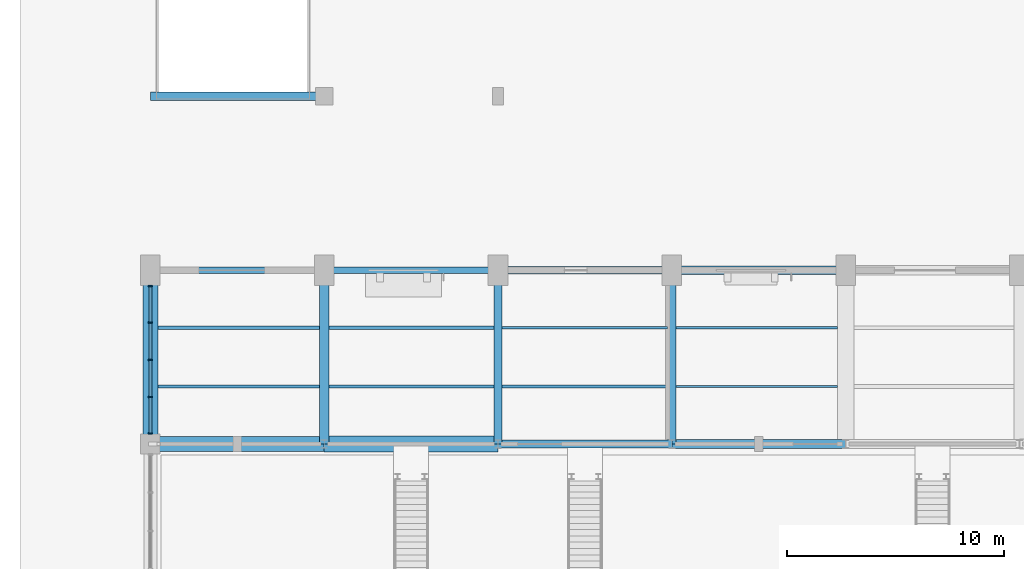
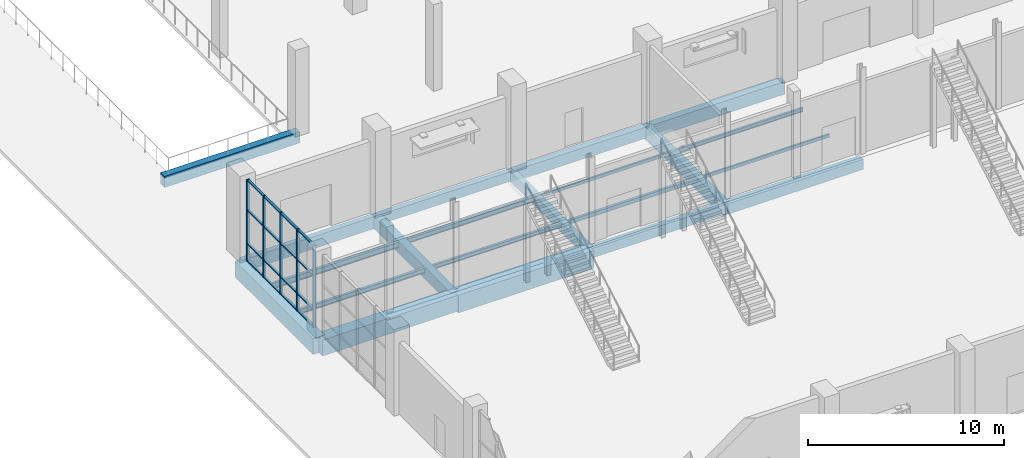
# One storey, part 24 of 123: 21 beams, 21 members, 1 element without a shape of its own.
"""IFC4 building model written with IfcOpenShell, lengths in metres."""

from ifc_helpers import new_model, si_unit, direction, frame, origin, origin_2d, place, context, subcontext, project, spatial, rectangle, hollow_rectangle, i_section, extrude, material, material_profile, profile_set, type_object, element, aggregate, save


model = new_model("IFC4")

# Units and contexts
model_context = context("Model", 3, precision=1e-05, world=origin(), true_north=direction((0.0, 1.0)))
body_context = subcontext(model_context, "Body", "Model", "MODEL_VIEW")
ifc_project = project(units=[si_unit("LENGTHUNIT", "METRE"), si_unit("AREAUNIT", "SQUARE_METRE"), si_unit("VOLUMEUNIT", "CUBIC_METRE"), si_unit("PLANEANGLEUNIT", "RADIAN"), si_unit("MASSUNIT", "GRAM", prefix="KILO")], contexts=[model_context])

# Site, building, storey
site_placement = place(None, origin())
site = spatial("IfcSite", under=ifc_project, at=site_placement, CompositionType="ELEMENT")
building_placement = place(site_placement, origin())
building = spatial("IfcBuilding", under=site, at=building_placement, Name="Tenunan Teduh Sports Hall", CompositionType="ELEMENT")
storey_placement = place(building_placement, origin())
storey = spatial("IfcBuildingStorey", under=building, at=storey_placement, Name="L00", CompositionType="ELEMENT", Elevation=0.0)

# Beams
ifc_material_1 = material(Name="Concrete C40/50", Category="concrete")
ifc_material_profile_1 = material_profile(ifc_material_1, rectangle(XDim=0.300048828125, YDim=0.60009765625, at=origin_2d()), Name="RCB 300x600")
ifc_profile_set_1 = profile_set([ifc_material_profile_1], Name="Concrete C40/50")
beam_type_1 = type_object("IfcBeamType", Name="BM-RC-300x600", PredefinedType="BEAM", material=ifc_profile_set_1)
beam_1_placement = place(storey_placement, frame((14.0, 46.0, -0.6201171875), z_axis=(1.0, 0.0, 0.0), x_axis=(0.0, 1.0, 0.0)))
element("IfcBeam", 1, at=beam_1_placement, inside=storey, type_object=beam_type_1, Name="BM-B-03-L00-0652", PredefinedType="BEAM", context=body_context, shape_type="SweptSolid", body=[
    extrude(rectangle(XDim=0.300048828125, YDim=0.60009765625, at=origin_2d()), origin(), (0.0, 0.0, 1.0), 8.0),
])
ifc_material_2 = material(Name="Concrete C40/50", Category="concrete")
ifc_material_profile_2 = material_profile(ifc_material_2, rectangle(XDim=0.35009765625, YDim=0.60009765625, at=origin_2d()), Name="RCB 350x600")
ifc_profile_set_2 = profile_set([ifc_material_profile_2], Name="Concrete C40/50")
beam_type_2 = type_object("IfcBeamType", Name="BM-RC-350x600", PredefinedType="BEAM", material=ifc_profile_set_2)
beam_2_placement = place(storey_placement, frame((22.0, 38.0, -0.6201171875), z_axis=(1.0, 0.0, 0.0), x_axis=(0.0, 1.0, 0.0)))
element("IfcBeam", 2, at=beam_2_placement, inside=storey, type_object=beam_type_2, Name="BM-B-04-L00-0639", PredefinedType="BEAM", context=body_context, shape_type="SweptSolid", body=[
    extrude(rectangle(XDim=0.35009765625, YDim=0.60009765625, at=origin_2d()), origin(), (0.0, 0.0, 1.0), 8.0),
])
ifc_material_3 = material(Name="Concrete C40/50", Category="concrete")
ifc_material_profile_3 = material_profile(ifc_material_3, rectangle(XDim=0.35009765625, YDim=0.64990234375, at=origin_2d()), Name="RCB 350x650")
ifc_profile_set_3 = profile_set([ifc_material_profile_3], Name="Concrete C40/50")
beam_type_3 = type_object("IfcBeamType", Name="BM-RC-350x650", PredefinedType="BEAM", material=ifc_profile_set_3)
beam_3_placement = place(storey_placement, frame((22.0, 38.0, -0.64501953125), z_axis=(0.0, 1.0, 0.0), x_axis=(-1.0, 0.0, 0.0)))
element("IfcBeam", 3, at=beam_3_placement, inside=storey, type_object=beam_type_3, Name="BM-B-05-L00-0777", PredefinedType="BEAM", context=body_context, shape_type="SweptSolid", body=[
    extrude(rectangle(XDim=0.35009765625, YDim=0.64990234375, at=origin_2d()), origin(), (0.0, 0.0, 1.0), 8.0),
])
ifc_material_4 = material(Name="Concrete C40/50", Category="concrete")
ifc_material_profile_4 = material_profile(ifc_material_4, rectangle(XDim=0.35009765625, YDim=0.699951171875, at=origin_2d()), Name="RCB 350x700")
ifc_profile_set_4 = profile_set([ifc_material_profile_4], Name="Concrete C40/50")
beam_type_4 = type_object("IfcBeamType", Name="BM-RC-350x700", PredefinedType="BEAM", material=ifc_profile_set_4)
beam_4_placement = place(storey_placement, frame((22.0, 46.0, -0.669921875), z_axis=(1.0, 0.0, 0.0), x_axis=(0.0, 1.0, 0.0)))
element("IfcBeam", 4, at=beam_4_placement, inside=storey, type_object=beam_type_4, Name="BM-B-06-L00-0653", PredefinedType="BEAM", context=body_context, shape_type="SweptSolid", body=[
    extrude(rectangle(XDim=0.35009765625, YDim=0.699951171875, at=origin_2d()), origin(), (0.0, 0.0, 1.0), 8.0),
])
ifc_material_5 = material(Name="Concrete C40/50", Category="concrete")
ifc_material_profile_5 = material_profile(ifc_material_5, rectangle(XDim=0.39990234375, YDim=0.64990234375, at=origin_2d()), Name="RCB 400x650")
ifc_profile_set_5 = profile_set([ifc_material_profile_5], Name="Concrete C40/50")
beam_type_5 = type_object("IfcBeamType", Name="BM-RC-400x650", PredefinedType="BEAM", material=ifc_profile_set_5)
beam_5_placement = place(storey_placement, frame((30.0, 38.0, -0.64501953125), z_axis=(1.0, 0.0, 0.0), x_axis=(0.0, 1.0, 0.0)))
element("IfcBeam", 5, at=beam_5_placement, inside=storey, type_object=beam_type_5, Name="BM-B-07-L00-0640", PredefinedType="BEAM", context=body_context, shape_type="SweptSolid", body=[
    extrude(rectangle(XDim=0.39990234375, YDim=0.64990234375, at=origin_2d()), origin(), (0.0, 0.0, 1.0), 8.0),
])
ifc_material_6 = material(Name="Concrete C40/50", Category="concrete")
ifc_material_profile_6 = material_profile(ifc_material_6, rectangle(XDim=0.39990234375, YDim=0.699951171875, at=origin_2d()), Name="RCB 400x700")
ifc_profile_set_6 = profile_set([ifc_material_profile_6], Name="Concrete C40/50")
beam_type_6 = type_object("IfcBeamType", Name="BM-RC-400x700", PredefinedType="BEAM", material=ifc_profile_set_6)
beam_6_placement = place(storey_placement, frame((6.0, 54.0, -0.260009765625), z_axis=(1.0, 0.0, 0.0), x_axis=(0.0, 1.0, 0.0)))
element("IfcBeam", 6, at=beam_6_placement, inside=storey, type_object=beam_type_6, Name="BM-B-08-VRMP-TOP", PredefinedType="BEAM", context=body_context, shape_type="SweptSolid", body=[
    extrude(rectangle(XDim=0.39990234375, YDim=0.699951171875, at=origin_2d()), origin(), (0.0, 0.0, 1.0), 8.0),
])
ifc_material_7 = material(Name="Concrete C40/50", Category="concrete")
ifc_material_profile_7 = material_profile(ifc_material_7, rectangle(XDim=0.39990234375, YDim=0.800048828125, at=origin_2d()), Name="RCB 400x800")
ifc_profile_set_7 = profile_set([ifc_material_profile_7], Name="Concrete C40/50")
beam_type_7 = type_object("IfcBeamType", Name="BM-RC-400x800", PredefinedType="BEAM", material=ifc_profile_set_7)
for number, where, z_axis, x_axis, name in (
    (7, (30.0, 46.0, -0.719970703125), (1.0, 0.0, 0.0), (0.0, 1.0, 0.0), "BM-B-10-L00-0654"),
    (8, (30.0, 38.0, -0.719970703125), (0.0, 1.0, 0.0), (-1.0, 0.0, 0.0), "BM-B-10-L00-0783"),
):
    element("IfcBeam", number, at=place(storey_placement, frame(where, z_axis=z_axis, x_axis=x_axis)), inside=storey, type_object=beam_type_7, Name=name, PredefinedType="BEAM", context=body_context, shape_type="SweptSolid", body=[
        extrude(rectangle(XDim=0.39990234375, YDim=0.800048828125, at=origin_2d()), origin(), (0.0, 0.0, 1.0), 8.0),
    ])
ifc_material_8 = material(Name="Concrete C40/50", Category="concrete")
ifc_material_profile_8 = material_profile(ifc_material_8, rectangle(XDim=0.449951171875, YDim=0.75, at=origin_2d()), Name="RCB 450x750")
ifc_profile_set_8 = profile_set([ifc_material_profile_8], Name="Concrete C40/50")
beam_type_8 = type_object("IfcBeamType", Name="BM-RC-450x750", PredefinedType="BEAM", material=ifc_profile_set_8)
beam_7_placement = place(storey_placement, frame((14.0, 38.0, -0.695068359375), z_axis=(0.0, 1.0, 0.0), x_axis=(-1.0, 0.0, 0.0)))
element("IfcBeam", 9, at=beam_7_placement, inside=storey, type_object=beam_type_8, Name="BM-B-11-L00-0771", PredefinedType="BEAM", context=body_context, shape_type="SweptSolid", body=[
    extrude(rectangle(XDim=0.449951171875, YDim=0.75, at=origin_2d()), origin(), (0.0, 0.0, 1.0), 8.0),
])
ifc_material_9 = material(Name="Concrete C40/50", Category="concrete")
ifc_material_profile_9 = material_profile(ifc_material_9, rectangle(XDim=0.699951171875, YDim=1.0, at=origin_2d()), Name="RCB 700x1000")
ifc_profile_set_9 = profile_set([ifc_material_profile_9], Name="Concrete C40/50")
beam_type_9 = type_object("IfcBeamType", Name="BM-RC-700x1000", PredefinedType="SPANDREL", material=ifc_profile_set_9)
for number, where, z_axis, x_axis, name in (
    (10, (6.0, 38.0, -0.820068359375), (1.0, 0.0, 0.0), (0.0, 1.0, 0.0), "BM-B-19-L00-0637"),
    (11, (6.0, 38.0, -0.820068359375), (0.0, 1.0, 0.0), (-1.0, 0.0, 0.0), "BM-B-19-L00-0766"),
):
    element("IfcBeam", number, at=place(storey_placement, frame(where, z_axis=z_axis, x_axis=x_axis)), inside=storey, type_object=beam_type_9, Name=name, PredefinedType="SPANDREL", context=body_context, shape_type="SweptSolid", body=[
        extrude(rectangle(XDim=0.699951171875, YDim=1.0, at=origin_2d()), origin(), (0.0, 0.0, 1.0), 8.0),
    ])
ifc_material_10 = material(Name="Concrete C40/50", Category="concrete")
ifc_material_profile_10 = material_profile(ifc_material_10, rectangle(XDim=0.75, YDim=1.10009765625, at=origin_2d()), Name="RCB 750x1100")
ifc_profile_set_10 = profile_set([ifc_material_profile_10], Name="Concrete C40/50")
beam_type_10 = type_object("IfcBeamType", Name="BM-RC-750x1100", PredefinedType="SPANDREL", material=ifc_profile_set_10)
beam_8_placement = place(storey_placement, frame((14.0, 38.0, -0.8701171875), z_axis=(1.0, 0.0, 0.0), x_axis=(0.0, 1.0, 0.0)))
element("IfcBeam", 12, at=beam_8_placement, inside=storey, type_object=beam_type_10, Name="BM-B-20-L00-0638", PredefinedType="SPANDREL", context=body_context, shape_type="SweptSolid", body=[
    extrude(rectangle(XDim=0.75, YDim=1.10009765625, at=origin_2d()), origin(), (0.0, 0.0, 1.0), 8.0),
])
ifc_material_11 = material(Name="Concrete C40/50", Category="concrete")
ifc_material_profile_11 = material_profile(ifc_material_11, rectangle(XDim=0.300048828125, YDim=0.75, at=origin_2d()), Name="SPB 300x750")
ifc_profile_set_11 = profile_set([ifc_material_profile_11], Name="Concrete C40/50")
beam_type_11 = type_object("IfcBeamType", Name="BM-SP-300x750", PredefinedType="SPANDREL", material=ifc_profile_set_11)
beam_9_placement = place(storey_placement, frame((6.0, 46.0, -0.695068359375), z_axis=(1.0, 0.0, 0.0), x_axis=(0.0, 1.0, 0.0)))
element("IfcBeam", 13, at=beam_9_placement, inside=storey, type_object=beam_type_11, Name="BM-SP-01-L00-0651", PredefinedType="SPANDREL", context=body_context, shape_type="SweptSolid", body=[
    extrude(rectangle(XDim=0.300048828125, YDim=0.75, at=origin_2d()), origin(), (0.0, 0.0, 1.0), 8.0),
])

# Curtain wall, members
ifc_material_12 = material(Name="Anodised aluminium", Category="aluminium")
curtain_wall_type = type_object("IfcCurtainWallType", Name="CW-UNIT-2", PredefinedType="NOTDEFINED", material=ifc_material_12)
curtain_wall_placement = place(storey_placement, origin())
curtain_wall = element("IfcCurtainWall", 14, at=curtain_wall_placement, inside=storey, type_object=curtain_wall_type, Name="CW-CWM-175-L00-038", PredefinedType="NOTDEFINED")
ifc_material_13 = material(Name="Anodised aluminium", Category="aluminium")
ifc_material_profile_12 = material_profile(ifc_material_13, rectangle(XDim=0.06494140625, YDim=0.175048828125, at=origin_2d()), Name="CWM 65x175")
ifc_profile_set_12 = profile_set([ifc_material_profile_12], Name="Anodised aluminium")
member_type_1 = type_object("IfcMemberType", Name="CWM-175", PredefinedType="MULLION", material=ifc_profile_set_12)
member_1_placement = place(storey_placement, frame((6.0, 38.482421875, 0.0), z_axis=(0.0, 0.0, 1.0), x_axis=(0.0, 1.0, 0.0)))
member_1 = element("IfcMember", 15, at=member_1_placement, type_object=member_type_1, Name="CW-02 mullion 1", PredefinedType="MULLION", context=body_context, shape_type="SweptSolid", body=[
    extrude(rectangle(XDim=0.06494140625, YDim=0.175048828125, at=origin_2d()), origin(), (0.0, 0.0, 1.0), 5.10009765625),
])
member_2_placement = place(storey_placement, frame((6.0, 40.16259765625, 0.0), z_axis=(0.0, 0.0, 1.0), x_axis=(0.0, 1.0, 0.0)))
member_2 = element("IfcMember", 16, at=member_2_placement, type_object=member_type_1, Name="CW-02 mullion 2", PredefinedType="MULLION", context=body_context, shape_type="SweptSolid", body=[
    extrude(rectangle(XDim=0.06494140625, YDim=0.175048828125, at=origin_2d()), origin(), (0.0, 0.0, 1.0), 5.10009765625),
])
member_3_placement = place(storey_placement, frame((6.0, 41.875, 0.0), z_axis=(0.0, 0.0, 1.0), x_axis=(0.0, 1.0, 0.0)))
member_3 = element("IfcMember", 17, at=member_3_placement, type_object=member_type_1, Name="CW-02 mullion 3", PredefinedType="MULLION", context=body_context, shape_type="SweptSolid", body=[
    extrude(rectangle(XDim=0.06494140625, YDim=0.175048828125, at=origin_2d()), origin(), (0.0, 0.0, 1.0), 5.10009765625),
])
member_4_placement = place(storey_placement, frame((6.0, 43.58740234375, 0.0), z_axis=(0.0, 0.0, 1.0), x_axis=(0.0, 1.0, 0.0)))
member_4 = element("IfcMember", 18, at=member_4_placement, type_object=member_type_1, Name="CW-02 mullion 4", PredefinedType="MULLION", context=body_context, shape_type="SweptSolid", body=[
    extrude(rectangle(XDim=0.06494140625, YDim=0.175048828125, at=origin_2d()), origin(), (0.0, 0.0, 1.0), 5.10009765625),
])
member_5_placement = place(storey_placement, frame((6.0, 45.267578125, 0.0), z_axis=(0.0, 0.0, 1.0), x_axis=(0.0, 1.0, 0.0)))
member_5 = element("IfcMember", 19, at=member_5_placement, type_object=member_type_1, Name="CW-02 mullion 5", PredefinedType="MULLION", context=body_context, shape_type="SweptSolid", body=[
    extrude(rectangle(XDim=0.06494140625, YDim=0.175048828125, at=origin_2d()), origin(), (0.0, 0.0, 1.0), 5.10009765625),
])
ifc_material_14 = material(Name="Anodised aluminium", Category="aluminium")
ifc_material_profile_13 = material_profile(ifc_material_14, rectangle(XDim=0.06494140625, YDim=0.139892578125, at=origin_2d()), Name="CWT 65x140")
ifc_profile_set_13 = profile_set([ifc_material_profile_13], Name="Anodised aluminium")
member_type_2 = type_object("IfcMemberType", Name="CWT-150", PredefinedType="USERDEFINED", material=ifc_profile_set_13)
member_6_placement = place(storey_placement, frame((6.0, 38.514892578125, 0.032470703125), z_axis=(0.0, 1.0, 0.0), x_axis=(0.0, 0.0, 1.0)))
member_6 = element("IfcMember", 20, at=member_6_placement, type_object=member_type_2, Name="CW-02 transom 1.1", ObjectType="TRANSOM", PredefinedType="USERDEFINED", context=body_context, shape_type="SweptSolid", body=[
    extrude(rectangle(XDim=0.06494140625, YDim=0.139892578125, at=origin_2d()), origin(), (0.0, 0.0, 1.0), 1.614990234375),
])
member_7_placement = place(storey_placement, frame((6.0, 38.514892578125, 1.10009765625), z_axis=(0.0, 1.0, 0.0), x_axis=(0.0, 0.0, 1.0)))
member_7 = element("IfcMember", 21, at=member_7_placement, type_object=member_type_2, Name="CW-02 transom 1.2", ObjectType="TRANSOM", PredefinedType="USERDEFINED", context=body_context, shape_type="SweptSolid", body=[
    extrude(rectangle(XDim=0.06494140625, YDim=0.139892578125, at=origin_2d()), origin(), (0.0, 0.0, 1.0), 1.614990234375),
])
member_8_placement = place(storey_placement, frame((6.0, 38.514892578125, 3.199951171875), z_axis=(0.0, 1.0, 0.0), x_axis=(0.0, 0.0, 1.0)))
member_8 = element("IfcMember", 22, at=member_8_placement, type_object=member_type_2, Name="CW-02 transom 1.3", ObjectType="TRANSOM", PredefinedType="USERDEFINED", context=body_context, shape_type="SweptSolid", body=[
    extrude(rectangle(XDim=0.06494140625, YDim=0.139892578125, at=origin_2d()), origin(), (0.0, 0.0, 1.0), 1.614990234375),
])
member_9_placement = place(storey_placement, frame((6.0, 38.514892578125, 5.0673828125), z_axis=(0.0, 1.0, 0.0), x_axis=(0.0, 0.0, 1.0)))
member_9 = element("IfcMember", 23, at=member_9_placement, type_object=member_type_2, Name="CW-02 transom 1.4", ObjectType="TRANSOM", PredefinedType="USERDEFINED", context=body_context, shape_type="SweptSolid", body=[
    extrude(rectangle(XDim=0.06494140625, YDim=0.139892578125, at=origin_2d()), origin(), (0.0, 0.0, 1.0), 1.614990234375),
])
member_10_placement = place(storey_placement, frame((6.0, 40.195068359375, 0.032470703125), z_axis=(0.0, 1.0, 0.0), x_axis=(0.0, 0.0, 1.0)))
member_10 = element("IfcMember", 24, at=member_10_placement, type_object=member_type_2, Name="CW-02 transom 2.1", ObjectType="TRANSOM", PredefinedType="USERDEFINED", context=body_context, shape_type="SweptSolid", body=[
    extrude(rectangle(XDim=0.06494140625, YDim=0.139892578125, at=origin_2d()), origin(), (0.0, 0.0, 1.0), 1.6474609375),
])
member_11_placement = place(storey_placement, frame((6.0, 40.195068359375, 1.10009765625), z_axis=(0.0, 1.0, 0.0), x_axis=(0.0, 0.0, 1.0)))
member_11 = element("IfcMember", 25, at=member_11_placement, type_object=member_type_2, Name="CW-02 transom 2.2", ObjectType="TRANSOM", PredefinedType="USERDEFINED", context=body_context, shape_type="SweptSolid", body=[
    extrude(rectangle(XDim=0.06494140625, YDim=0.139892578125, at=origin_2d()), origin(), (0.0, 0.0, 1.0), 1.6474609375),
])
member_12_placement = place(storey_placement, frame((6.0, 40.195068359375, 3.199951171875), z_axis=(0.0, 1.0, 0.0), x_axis=(0.0, 0.0, 1.0)))
member_12 = element("IfcMember", 26, at=member_12_placement, type_object=member_type_2, Name="CW-02 transom 2.3", ObjectType="TRANSOM", PredefinedType="USERDEFINED", context=body_context, shape_type="SweptSolid", body=[
    extrude(rectangle(XDim=0.06494140625, YDim=0.139892578125, at=origin_2d()), origin(), (0.0, 0.0, 1.0), 1.6474609375),
])
member_13_placement = place(storey_placement, frame((6.0, 40.195068359375, 5.0673828125), z_axis=(0.0, 1.0, 0.0), x_axis=(0.0, 0.0, 1.0)))
member_13 = element("IfcMember", 27, at=member_13_placement, type_object=member_type_2, Name="CW-02 transom 2.4", ObjectType="TRANSOM", PredefinedType="USERDEFINED", context=body_context, shape_type="SweptSolid", body=[
    extrude(rectangle(XDim=0.06494140625, YDim=0.139892578125, at=origin_2d()), origin(), (0.0, 0.0, 1.0), 1.6474609375),
])
member_14_placement = place(storey_placement, frame((6.0, 41.907470703125, 0.032470703125), z_axis=(0.0, 1.0, 0.0), x_axis=(0.0, 0.0, 1.0)))
member_14 = element("IfcMember", 28, at=member_14_placement, type_object=member_type_2, Name="CW-02 transom 3.1", ObjectType="TRANSOM", PredefinedType="USERDEFINED", context=body_context, shape_type="SweptSolid", body=[
    extrude(rectangle(XDim=0.06494140625, YDim=0.139892578125, at=origin_2d()), origin(), (0.0, 0.0, 1.0), 1.6474609375),
])
member_15_placement = place(storey_placement, frame((6.0, 41.907470703125, 1.10009765625), z_axis=(0.0, 1.0, 0.0), x_axis=(0.0, 0.0, 1.0)))
member_15 = element("IfcMember", 29, at=member_15_placement, type_object=member_type_2, Name="CW-02 transom 3.2", ObjectType="TRANSOM", PredefinedType="USERDEFINED", context=body_context, shape_type="SweptSolid", body=[
    extrude(rectangle(XDim=0.06494140625, YDim=0.139892578125, at=origin_2d()), origin(), (0.0, 0.0, 1.0), 1.6474609375),
])
member_16_placement = place(storey_placement, frame((6.0, 41.907470703125, 3.199951171875), z_axis=(0.0, 1.0, 0.0), x_axis=(0.0, 0.0, 1.0)))
member_16 = element("IfcMember", 30, at=member_16_placement, type_object=member_type_2, Name="CW-02 transom 3.3", ObjectType="TRANSOM", PredefinedType="USERDEFINED", context=body_context, shape_type="SweptSolid", body=[
    extrude(rectangle(XDim=0.06494140625, YDim=0.139892578125, at=origin_2d()), origin(), (0.0, 0.0, 1.0), 1.6474609375),
])
member_17_placement = place(storey_placement, frame((6.0, 41.907470703125, 5.0673828125), z_axis=(0.0, 1.0, 0.0), x_axis=(0.0, 0.0, 1.0)))
member_17 = element("IfcMember", 31, at=member_17_placement, type_object=member_type_2, Name="CW-02 transom 3.4", ObjectType="TRANSOM", PredefinedType="USERDEFINED", context=body_context, shape_type="SweptSolid", body=[
    extrude(rectangle(XDim=0.06494140625, YDim=0.139892578125, at=origin_2d()), origin(), (0.0, 0.0, 1.0), 1.6474609375),
])
member_18_placement = place(storey_placement, frame((6.0, 43.6201171875, 0.032470703125), z_axis=(0.0, 1.0, 0.0), x_axis=(0.0, 0.0, 1.0)))
member_18 = element("IfcMember", 32, at=member_18_placement, type_object=member_type_2, Name="CW-02 transom 4.1", ObjectType="TRANSOM", PredefinedType="USERDEFINED", context=body_context, shape_type="SweptSolid", body=[
    extrude(rectangle(XDim=0.06494140625, YDim=0.139892578125, at=origin_2d()), origin(), (0.0, 0.0, 1.0), 1.614990234375),
])
member_19_placement = place(storey_placement, frame((6.0, 43.6201171875, 1.10009765625), z_axis=(0.0, 1.0, 0.0), x_axis=(0.0, 0.0, 1.0)))
member_19 = element("IfcMember", 33, at=member_19_placement, type_object=member_type_2, Name="CW-02 transom 4.2", ObjectType="TRANSOM", PredefinedType="USERDEFINED", context=body_context, shape_type="SweptSolid", body=[
    extrude(rectangle(XDim=0.06494140625, YDim=0.139892578125, at=origin_2d()), origin(), (0.0, 0.0, 1.0), 1.614990234375),
])
member_20_placement = place(storey_placement, frame((6.0, 43.6201171875, 3.199951171875), z_axis=(0.0, 1.0, 0.0), x_axis=(0.0, 0.0, 1.0)))
member_20 = element("IfcMember", 34, at=member_20_placement, type_object=member_type_2, Name="CW-02 transom 4.3", ObjectType="TRANSOM", PredefinedType="USERDEFINED", context=body_context, shape_type="SweptSolid", body=[
    extrude(rectangle(XDim=0.06494140625, YDim=0.139892578125, at=origin_2d()), origin(), (0.0, 0.0, 1.0), 1.614990234375),
])
member_21_placement = place(storey_placement, frame((6.0, 43.6201171875, 5.0673828125), z_axis=(0.0, 1.0, 0.0), x_axis=(0.0, 0.0, 1.0)))
member_21 = element("IfcMember", 35, at=member_21_placement, type_object=member_type_2, Name="CW-02 transom 4.4", ObjectType="TRANSOM", PredefinedType="USERDEFINED", context=body_context, shape_type="SweptSolid", body=[
    extrude(rectangle(XDim=0.06494140625, YDim=0.139892578125, at=origin_2d()), origin(), (0.0, 0.0, 1.0), 1.614990234375),
])
aggregate(curtain_wall, [member_1, member_2, member_3, member_4, member_5, member_6, member_7, member_8, member_9, member_10, member_11, member_12, member_13, member_14, member_15, member_16, member_17, member_18, member_19, member_20, member_21])

# Beams
ifc_material_15 = material(Name="Steel S355", Category="steel")
ifc_material_profile_14 = material_profile(ifc_material_15, i_section(OverallWidth=0.1201171875, OverallDepth=0.239990234375, WebThickness=0.006103515625, FlangeThickness=0.009765625, FilletRadius=0.014892578125, at=origin_2d()), Name="IPE 240")
ifc_profile_set_14 = profile_set([ifc_material_profile_14], Name="Steel S355")
beam_type_12 = type_object("IfcBeamType", Name="JST-IPE240", PredefinedType="JOIST", material=ifc_profile_set_14)
beam_10_placement = place(storey_placement, frame((30.199951171875, 43.35009765625, -0.43994140625), z_axis=(1.0, 0.0, 0.0), x_axis=(0.0, 1.0, 0.0)))
element("IfcBeam", 36, at=beam_10_placement, inside=storey, type_object=beam_type_12, Name="BM-J-02-L00-0925", PredefinedType="JOIST", context=body_context, shape_type="SweptSolid", body=[
    extrude(i_section(OverallWidth=0.1201171875, OverallDepth=0.239990234375, WebThickness=0.006103515625, FlangeThickness=0.009765625, FilletRadius=0.014892578125, at=origin_2d()), origin(), (0.0, 0.0, 1.0), 7.425048828125),
])
ifc_material_16 = material(Name="Steel S355", Category="steel")
ifc_material_profile_15 = material_profile(ifc_material_16, i_section(OverallWidth=0.135009765625, OverallDepth=0.27001953125, WebThickness=0.006591796875, FlangeThickness=0.01025390625, FilletRadius=0.014892578125, at=origin_2d()), Name="IPE 270")
ifc_profile_set_15 = profile_set([ifc_material_profile_15], Name="Steel S355")
beam_type_13 = type_object("IfcBeamType", Name="JST-IPE270", PredefinedType="JOIST", material=ifc_profile_set_15)
beam_11_placement = place(storey_placement, frame((14.22509765625, 40.64990234375, -0.455078125), z_axis=(1.0, 0.0, 0.0), x_axis=(0.0, 1.0, 0.0)))
element("IfcBeam", 37, at=beam_11_placement, inside=storey, type_object=beam_type_13, Name="BM-J-03-L00-0904", PredefinedType="JOIST", context=body_context, shape_type="SweptSolid", body=[
    extrude(i_section(OverallWidth=0.135009765625, OverallDepth=0.27001953125, WebThickness=0.006591796875, FlangeThickness=0.01025390625, FilletRadius=0.014892578125, at=origin_2d()), origin(), (0.0, 0.0, 1.0), 7.599853515625),
])
ifc_material_17 = material(Name="Steel S355", Category="steel")
ifc_material_profile_16 = material_profile(ifc_material_17, i_section(OverallWidth=0.14990234375, OverallDepth=0.300048828125, WebThickness=0.007080078125, FlangeThickness=0.0107421875, FilletRadius=0.014892578125, at=origin_2d()), Name="IPE 300")
ifc_profile_set_16 = profile_set([ifc_material_profile_16], Name="Steel S355")
beam_type_14 = type_object("IfcBeamType", Name="JST-IPE300", PredefinedType="JOIST", material=ifc_profile_set_16)
beam_12_placement = place(storey_placement, frame((6.35009765625, 40.64990234375, -0.469970703125), z_axis=(1.0, 0.0, 0.0), x_axis=(0.0, 1.0, 0.0)))
element("IfcBeam", 38, at=beam_12_placement, inside=storey, type_object=beam_type_14, Name="BM-J-04-L00-0894", PredefinedType="JOIST", context=body_context, shape_type="SweptSolid", body=[
    extrude(i_section(OverallWidth=0.14990234375, OverallDepth=0.300048828125, WebThickness=0.007080078125, FlangeThickness=0.0107421875, FilletRadius=0.014892578125, at=origin_2d()), origin(), (0.0, 0.0, 1.0), 7.4248046875),
])
beam_13_placement = place(storey_placement, frame((14.22509765625, 43.35009765625, -0.469970703125), z_axis=(1.0, 0.0, 0.0), x_axis=(0.0, 1.0, 0.0)))
element("IfcBeam", 39, at=beam_13_placement, inside=storey, type_object=beam_type_14, Name="BM-J-04-L00-0905", PredefinedType="JOIST", context=body_context, shape_type="SweptSolid", body=[
    extrude(i_section(OverallWidth=0.14990234375, OverallDepth=0.300048828125, WebThickness=0.007080078125, FlangeThickness=0.0107421875, FilletRadius=0.014892578125, at=origin_2d()), origin(), (0.0, 0.0, 1.0), 7.599853515625),
])
ifc_material_18 = material(Name="Steel S355", Category="steel")
ifc_material_profile_17 = material_profile(ifc_material_18, i_section(OverallWidth=0.169921875, OverallDepth=0.360107421875, WebThickness=0.008056640625, FlangeThickness=0.0126953125, FilletRadius=0.01806640625, at=origin_2d()), Name="IPE 360")
ifc_profile_set_17 = profile_set([ifc_material_profile_17], Name="Steel S355")
beam_type_15 = type_object("IfcBeamType", Name="JST-IPE360", PredefinedType="JOIST", material=ifc_profile_set_17)
beam_14_placement = place(storey_placement, frame((6.35009765625, 43.35009765625, -0.5), z_axis=(1.0, 0.0, 0.0), x_axis=(0.0, 1.0, 0.0)))
element("IfcBeam", 40, at=beam_14_placement, inside=storey, type_object=beam_type_15, Name="BM-J-05-L00-0895", PredefinedType="JOIST", context=body_context, shape_type="SweptSolid", body=[
    extrude(i_section(OverallWidth=0.169921875, OverallDepth=0.360107421875, WebThickness=0.008056640625, FlangeThickness=0.0126953125, FilletRadius=0.01806640625, at=origin_2d()), origin(), (0.0, 0.0, 1.0), 7.4248046875),
])
ifc_material_19 = material(Name="Steel S355", Category="steel")
ifc_material_profile_18 = material_profile(ifc_material_19, hollow_rectangle(XDim=0.10009765625, YDim=0.199951171875, WallThickness=0.008056640625, at=origin_2d()), Name="RHS 200x100x8.0")
ifc_profile_set_18 = profile_set([ifc_material_profile_18], Name="Steel S355")
beam_type_16 = type_object("IfcBeamType", Name="RBM-RHS200", PredefinedType="JOIST", material=ifc_profile_set_18)
beam_15_placement = place(storey_placement, frame((22.175048828125, 43.35009765625, -0.419921875), z_axis=(1.0, 0.0, 0.0), x_axis=(0.0, 1.0, 0.0)))
element("IfcBeam", 41, at=beam_15_placement, inside=storey, type_object=beam_type_16, Name="Perimeter Ring Beam BM-RB-05-L00-0913", PredefinedType="JOIST", context=body_context, shape_type="SweptSolid", body=[
    extrude(hollow_rectangle(XDim=0.10009765625, YDim=0.199951171875, WallThickness=0.008056640625, at=origin_2d()), origin(), (0.0, 0.0, 1.0), 7.625),
])
beam_16_placement = place(storey_placement, frame((30.199951171875, 40.64990234375, -0.419921875), z_axis=(1.0, 0.0, 0.0), x_axis=(0.0, 1.0, 0.0)))
element("IfcBeam", 42, at=beam_16_placement, inside=storey, type_object=beam_type_16, Name="Perimeter Ring Beam BM-RB-05-L00-0924", PredefinedType="JOIST", context=body_context, shape_type="SweptSolid", body=[
    extrude(hollow_rectangle(XDim=0.10009765625, YDim=0.199951171875, WallThickness=0.008056640625, at=origin_2d()), origin(), (0.0, 0.0, 1.0), 7.425048828125),
])
ifc_material_20 = material(Name="Steel S355", Category="steel")
ifc_material_profile_19 = material_profile(ifc_material_20, hollow_rectangle(XDim=0.14990234375, YDim=0.25, WallThickness=0.010009765625, at=origin_2d()), Name="RHS 250x150x10.0")
ifc_profile_set_19 = profile_set([ifc_material_profile_19], Name="Steel S355")
beam_type_17 = type_object("IfcBeamType", Name="RBM-RHS250", PredefinedType="BEAM", material=ifc_profile_set_19)
beam_17_placement = place(storey_placement, frame((22.175048828125, 40.64990234375, -0.445068359375), z_axis=(1.0, 0.0, 0.0), x_axis=(0.0, 1.0, 0.0)))
element("IfcBeam", 43, at=beam_17_placement, inside=storey, type_object=beam_type_17, Name="Perimeter Ring Beam BM-RB-04-L00-0912", PredefinedType="BEAM", context=body_context, shape_type="SweptSolid", body=[
    extrude(hollow_rectangle(XDim=0.14990234375, YDim=0.25, WallThickness=0.010009765625, at=origin_2d()), origin(), (0.0, 0.0, 1.0), 7.625),
])

save(model, "model.ifc")
